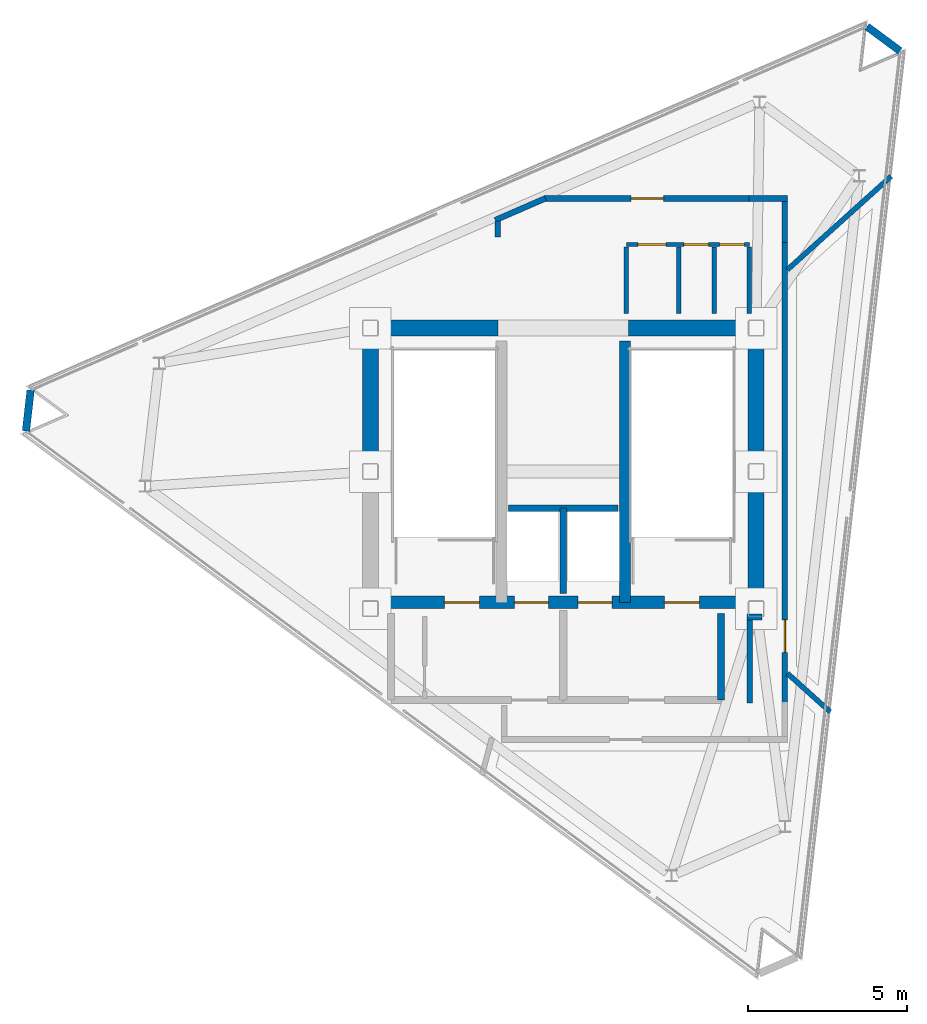
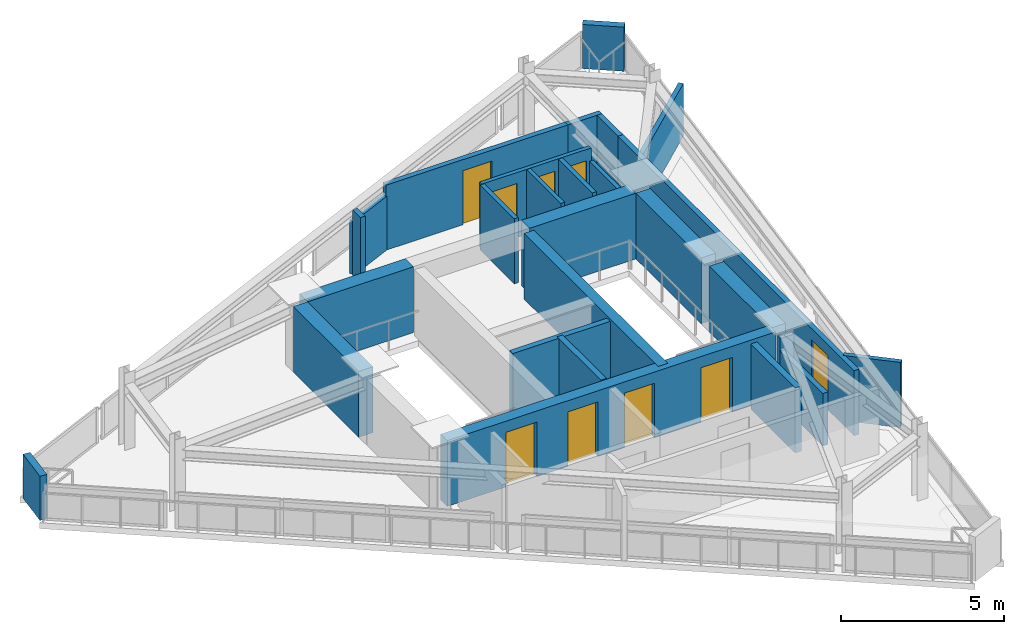
# One storey, part 7 of 9: 27 walls, 9 doors, 9 openings.
"""IFC4 building model written with IfcOpenShell, lengths in metres."""

import ifcopenshell
import ifcopenshell.guid

model = None  # the IFC model being written
_history = None  # IfcOwnerHistory: only IFC2X3 demands one
_inside = {}  # id of a spatial element -> (the spatial element, [elements in it])
_under = {}  # id of a project, library or spatial element -> (it, [spatial elements below it])
_declared = {}  # id of a project -> (the project, [libraries it declares])
_typed = {}  # id of a type object -> (the type object, [elements of that type])
_made_of = {}  # id of a material, layer set ... -> (it, [elements and type objects made of it])


def new_model(schema):
    """Start an empty IFC model of exactly this schema.

    Asked for "IFC4X3", IfcOpenShell would pick the latest addendum, in which some entities
    have other attributes; the version numbers below select the first issue.
    IFC2X3 requires an IfcOwnerHistory on every rooted entity: one is made here for all.
    """
    global model, _history
    if schema == "IFC4X3":
        model = ifcopenshell.file(schema_version=(4, 3, 0, 0))
    else:
        model = ifcopenshell.file(schema=schema)
    _inside.clear()
    _under.clear()
    _declared.clear()
    _typed.clear()
    _made_of.clear()
    _history = None
    if model.schema == "IFC2X3":
        org = make("IfcOrganization", Name="unknown")
        user = make(
            "IfcPersonAndOrganization",
            ThePerson=make("IfcPerson", FamilyName="unknown"),
            TheOrganization=org,
        )
        app = make(
            "IfcApplication",
            ApplicationDeveloper=org,
            Version="unknown",
            ApplicationFullName="unknown",
            ApplicationIdentifier="unknown",
        )
        _history = make(
            "IfcOwnerHistory",
            OwningUser=user,
            OwningApplication=app,
            ChangeAction="ADDED",
            CreationDate=0,
        )
    return model


def make(cls, **values):
    """One entity of the class cls with the attributes given. An attribute that is None is left unset."""
    return model.create_entity(
        cls, **{name: value for name, value in values.items() if value is not None}
    )


def rooted(cls, **values):
    """An entity with a GlobalId (a new one), such as an element, a storey or a relation."""
    return make(cls, GlobalId=ifcopenshell.guid.new(), OwnerHistory=_history, **values)


def si_unit(unit_type, name, prefix=None):
    """IfcSIUnit, for example si_unit("LENGTHUNIT", "METRE", prefix="MILLI")."""
    return make("IfcSIUnit", UnitType=unit_type, Prefix=prefix, Name=name)


def assignment(units):
    """IfcUnitAssignment: the units of a project."""
    return None if units is None else make("IfcUnitAssignment", Units=units)


def point(xyz):
    """IfcCartesianPoint."""
    return None if xyz is None else make("IfcCartesianPoint", Coordinates=xyz)


def direction(xyz):
    """IfcDirection."""
    return None if xyz is None else make("IfcDirection", DirectionRatios=xyz)


def frame(location, z_axis=None, x_axis=None):
    """IfcAxis2Placement3D, a coordinate frame: its origin and axes. An axis left out is left unset."""
    return make(
        "IfcAxis2Placement3D",
        Location=point(location),
        Axis=direction(z_axis),
        RefDirection=direction(x_axis),
    )


def frame_2d(location, x_axis=None):
    """IfcAxis2Placement2D, a coordinate frame in the plane: its origin and x axis."""
    return make(
        "IfcAxis2Placement2D", Location=point(location), RefDirection=direction(x_axis)
    )


def origin():
    """The frame at (0, 0, 0) with its axes left unset."""
    return frame((0.0, 0.0, 0.0))


def place(relative_to, where):
    """IfcLocalPlacement: puts the frame where relative to a parent placement (None: the world)."""
    return make(
        "IfcLocalPlacement", PlacementRelTo=relative_to, RelativePlacement=where
    )


def context(
    kind, dimensions, precision=None, world=None, true_north=None, identifier=None
):
    """IfcGeometricRepresentationContext, for example the 3D "Model" context."""
    return make(
        "IfcGeometricRepresentationContext",
        ContextIdentifier=identifier,
        ContextType=kind,
        CoordinateSpaceDimension=dimensions,
        Precision=precision,
        WorldCoordinateSystem=world,
        TrueNorth=true_north,
    )


def subcontext(parent, identifier, kind, view, scale=None):
    """IfcGeometricRepresentationSubContext, for example "Body" below "Model"."""
    return make(
        "IfcGeometricRepresentationSubContext",
        ContextIdentifier=identifier,
        ContextType=kind,
        ParentContext=parent,
        TargetScale=scale,
        TargetView=view,
    )


def project(units=None, contexts=None):
    """IfcProject with its units and contexts."""
    return rooted(
        "IfcProject",
        Name="project",
        RepresentationContexts=contexts,
        UnitsInContext=assignment(units),
    )


def spatial(cls, under=None, at=None, **own):
    """A site, building, storey or space (cls), placed at a placement, below another one or the project."""
    s = rooted(cls, ObjectPlacement=at, **own)
    if under is not None:
        _under.setdefault(under.id(), (under, []))[1].append(s)
    return s


def profile(cls, at=None, kind="AREA", **sizes):
    """A parametric profile (cls). Its sizes go by their IFC names, for example OverallWidth=200.0."""
    return make(cls, ProfileType=kind, Position=at, **sizes)


def rectangle(**sizes):
    """IfcRectangleProfileDef."""
    return profile("IfcRectangleProfileDef", **sizes)


def extrude(swept, where, along, depth):
    """IfcExtrudedAreaSolid: the profile swept, set in the frame where, extruded along a direction by depth."""
    return make(
        "IfcExtrudedAreaSolid",
        SweptArea=swept,
        Position=where,
        ExtrudedDirection=direction(along),
        Depth=depth,
    )


def shape(context_of_items, identifier, shape_type, items):
    """IfcShapeRepresentation: the items that make up one representation, for example the "Body"."""
    return make(
        "IfcShapeRepresentation",
        ContextOfItems=context_of_items,
        RepresentationIdentifier=identifier,
        RepresentationType=shape_type,
        Items=items,
    )


def material(Name=None, Category=None):
    """IfcMaterial."""
    return make("IfcMaterial", Name=Name, Category=Category)


def layer(
    of_material, thickness, ventilated=None, Name=None, Category=None, Priority=None
):
    """IfcMaterialLayer: one layer of a wall or slab, of a material (None: an air gap)."""
    return make(
        "IfcMaterialLayer",
        Material=of_material,
        LayerThickness=thickness,
        IsVentilated=ventilated,
        Name=Name,
        Category=Category,
        Priority=Priority,
    )


def layer_set(layers, Name=None):
    """IfcMaterialLayerSet."""
    return make("IfcMaterialLayerSet", MaterialLayers=layers, LayerSetName=Name)


def made_of(thing, what):
    """Note that an element or type object is made of a material, layer set ...; save() writes the relation."""
    if what is not None:
        _made_of.setdefault(what.id(), (what, []))[1].append(thing)
    return thing


def type_object(cls, material=None, **own):
    """A type object (cls), such as IfcWallType, which elements share."""
    return made_of(rooted(cls, **own), material)


def element(
    cls,
    number,
    at=None,
    inside=None,
    cuts=None,
    type_object=None,
    material=None,
    context=None,
    identifier="Body",
    shape_type=None,
    held_by="IfcProductDefinitionShape",
    body=None,
    shapes=None,
    **own,
):
    """One element of the class cls, such as IfcWall. Its Tag is "e" and its number.

    at: its placement. inside: the storey or other place that contains it. cuts: it is an
    opening in that element (IfcRelVoidsElement). A single representation is given by context,
    identifier, shape_type and body (its items); several are given by shapes. held_by: the class
    of the entity that holds the representations. save() writes the other relations.
    """
    e = rooted(cls, Tag="e%d" % number, ObjectPlacement=at, **own)
    if body is not None:
        shapes = [shape(context, identifier, shape_type, body)]
    if shapes is not None:
        e.Representation = make(held_by, Representations=shapes)
    if inside is not None:
        _inside.setdefault(inside.id(), (inside, []))[1].append(e)
    if cuts is not None:
        rooted(
            "IfcRelVoidsElement", RelatingBuildingElement=cuts, RelatedOpeningElement=e
        )
    if type_object is not None:
        _typed.setdefault(type_object.id(), (type_object, []))[1].append(e)
    return made_of(e, material)


def fill(opening, filler):
    """IfcRelFillsElement: the door or window that sits in an opening."""
    return rooted(
        "IfcRelFillsElement",
        RelatingOpeningElement=opening,
        RelatedBuildingElement=filler,
    )


def aggregate(whole, parts):
    """IfcRelAggregates: a whole, such as a stair, and the parts it consists of."""
    return rooted("IfcRelAggregates", RelatingObject=whole, RelatedObjects=parts)


def save(model, path):
    """Write the relations noted so far, then the file.

    IfcRelAggregates (storeys below a building ...), IfcRelContainedInSpatialStructure (elements
    in a storey), IfcRelDefinesByType, IfcRelAssociatesMaterial and IfcRelDeclares: one each for
    every whole, place, type object, material and project.
    """
    for whole, parts in _under.values():
        aggregate(whole, parts)
    for where, things in _inside.values():
        rooted(
            "IfcRelContainedInSpatialStructure",
            RelatedElements=things,
            RelatingStructure=where,
        )
    for kind, things in _typed.values():
        rooted("IfcRelDefinesByType", RelatedObjects=things, RelatingType=kind)
    for what, things in _made_of.values():
        rooted("IfcRelAssociatesMaterial", RelatedObjects=things, RelatingMaterial=what)
    for by, libraries in _declared.values():
        rooted("IfcRelDeclares", RelatingContext=by, RelatedDefinitions=libraries)
    model.write(path)


model = new_model("IFC4")

# Units and contexts
model_context = context("Model", 3, precision=1e-05, world=origin(), true_north=direction((0.0, 1.0)))
body_context = subcontext(model_context, "Body", "Model", "MODEL_VIEW")
ifc_project = project(units=[si_unit("LENGTHUNIT", "METRE"), si_unit("AREAUNIT", "SQUARE_METRE"), si_unit("VOLUMEUNIT", "CUBIC_METRE"), si_unit("PLANEANGLEUNIT", "RADIAN"), si_unit("MASSUNIT", "GRAM", prefix="KILO")], contexts=[model_context])

# Site, building, storey
site_placement = place(None, origin())
site = spatial("IfcSite", under=ifc_project, at=site_placement, CompositionType="ELEMENT")
building_placement = place(site_placement, origin())
building = spatial("IfcBuilding", under=site, at=building_placement, Name="Rocaltana Carrier Exchange", CompositionType="ELEMENT")
storey_placement = place(building_placement, frame((0.0, 0.0, 254.8798828125)))
storey = spatial("IfcBuildingStorey", under=building, at=storey_placement, Name="L81", CompositionType="ELEMENT", Elevation=254.8798828125)

# Walls
ifc_material_1 = material(Name="Double Acoustic Gypsum Partition", Category="gypsum")
ifc_layer_1 = layer(ifc_material_1, 0.159912109375)
ifc_layer_set_1 = layer_set([ifc_layer_1], Name="Double Acoustic Gypsum Partition")
wall_type_1 = type_object("IfcWallType", Name="Acoustic Studio Partition 160 EI60", PredefinedType="PARTITIONING", material=ifc_layer_set_1)
wall_1_placement = place(storey_placement, frame((7.030029296875, -6.329833984375, 0.0), z_axis=(0.0, 0.0, 1.0), x_axis=(0.743152807618, -0.669121741188, 0.0)))
element("IfcWall", 1, at=wall_1_placement, inside=storey, type_object=wall_type_1, Name="L81 Suite Divider Wall D2", PredefinedType="PARTITIONING", context=body_context, shape_type="SweptSolid", body=[
    extrude(rectangle(XDim=1.803955078125, YDim=0.159912109375, at=frame_2d((0.90185546875, 0.0))), origin(), (0.0, 0.0, 1.0), 2.43310546875),
])
wall_2_placement = place(storey_placement, frame((7.030029296875, 6.329833984375, 0.0), z_axis=(0.0, 0.0, 1.0), x_axis=(0.74313056162, 0.669146447638, 0.0)))
element("IfcWall", 2, at=wall_2_placement, inside=storey, type_object=wall_type_1, Name="L81 Suite Divider Wall D3", PredefinedType="PARTITIONING", context=body_context, shape_type="SweptSolid", body=[
    extrude(rectangle(XDim=4.37890625, YDim=0.159912109375, at=frame_2d((2.189453125, 0.0))), origin(), (0.0, 0.0, 1.0), 1.963134765625),
])
ifc_material_2 = material(Name="Concrete C50/60", Category="concrete")
ifc_layer_2 = layer(ifc_material_2, 0.35009765625)
ifc_layer_set_2 = layer_set([ifc_layer_2], Name="Concrete C50/60")
wall_type_2 = type_object("IfcWallType", Name="Core Internal Shear Wall 350", PredefinedType="SHEAR", material=ifc_layer_set_2)
wall_3_placement = place(storey_placement, frame((1.93994140625, -4.10009765625, 0.0), z_axis=(0.0, 0.0, 1.0), x_axis=(0.0, 1.0, 0.0)))
element("IfcWall", 3, at=wall_3_placement, inside=storey, type_object=wall_type_2, Name="L81 Core Shear Wall CW-STE", PredefinedType="SHEAR", context=body_context, shape_type="SweptSolid", body=[
    extrude(rectangle(XDim=8.2001953125, YDim=0.35009765625, at=frame_2d((4.10009765625, 0.0))), origin(), (0.0, 0.0, 1.0), 2.4580078125),
])

# Wall, openings, doors
ifc_material_3 = material(Name="Concrete C50/60", Category="concrete")
ifc_layer_3 = layer(ifc_material_3, 0.39990234375)
ifc_layer_set_3 = layer_set([ifc_layer_3], Name="Concrete C50/60")
wall_type_3 = type_object("IfcWallType", Name="Core Internal Shear Wall 400", PredefinedType="SHEAR", material=ifc_layer_set_3)
wall_4_placement = place(storey_placement, frame((-5.800048828125, -4.10009765625, 0.0), z_axis=(0.0, 0.0, 1.0), x_axis=(1.0, 0.0, 0.0)))
wall_4 = element("IfcWall", 4, at=wall_4_placement, inside=storey, type_object=wall_type_3, Name="L81 Core Shear Wall CW-S", PredefinedType="SHEAR", context=body_context, shape_type="SweptSolid", body=[
    extrude(rectangle(XDim=11.60009765625, YDim=0.39990234375, at=frame_2d((5.800048828125, 0.0))), origin(), (0.0, 0.0, 1.0), 2.4580078125),
])
opening_1_placement = place(wall_4_placement, frame((2.070068359375, 0.0, 0.0)))
opening_1 = element("IfcOpeningElement", 5, at=opening_1_placement, cuts=wall_4, Name="Opening D-ST110", PredefinedType="OPENING", context=body_context, shape_type="SweptSolid", body=[
    extrude(rectangle(XDim=1.10009765625, YDim=2.0400390625, at=frame_2d((0.550048828125, 1.02001953125))), frame((0.0, 0.2099609375, 0.0), z_axis=(0.0, -1.0, 0.0), x_axis=(1.0, 0.0, 0.0)), (0.0, 0.0, 1.0), 0.419921875),
])
opening_2_placement = place(wall_4_placement, frame((8.969970703125, 0.0, 0.0)))
opening_2 = element("IfcOpeningElement", 6, at=opening_2_placement, cuts=wall_4, Name="Opening D-ST110", PredefinedType="OPENING", context=body_context, shape_type="SweptSolid", body=[
    extrude(rectangle(XDim=1.10009765625, YDim=2.0400390625, at=frame_2d((0.550048828125, 1.02001953125))), frame((0.0, 0.2099609375, 0.0), z_axis=(0.0, -1.0, 0.0), x_axis=(1.0, 0.0, 0.0)), (0.0, 0.0, 1.0), 0.419921875),
])
opening_3_placement = place(wall_4_placement, frame((4.27001953125, 0.0, 0.0)))
opening_3 = element("IfcOpeningElement", 7, at=opening_3_placement, cuts=wall_4, Name="Opening LD-110", PredefinedType="OPENING", context=body_context, shape_type="SweptSolid", body=[
    extrude(rectangle(XDim=1.06005859375, YDim=2.0400390625, at=frame_2d((0.530029296875, 1.02001953125))), frame((0.0, 0.2099609375, 0.0), z_axis=(0.0, -1.0, 0.0), x_axis=(1.0, 0.0, 0.0)), (0.0, 0.0, 1.0), 0.419921875),
])
opening_4_placement = place(wall_4_placement, frame((6.27001953125, 0.0, 0.0)))
opening_4 = element("IfcOpeningElement", 8, at=opening_4_placement, cuts=wall_4, Name="Opening LD-110", PredefinedType="OPENING", context=body_context, shape_type="SweptSolid", body=[
    extrude(rectangle(XDim=1.06005859375, YDim=2.0400390625, at=frame_2d((0.530029296875, 1.02001953125))), frame((0.0, 0.2099609375, 0.0), z_axis=(0.0, -1.0, 0.0), x_axis=(1.0, 0.0, 0.0)), (0.0, 0.0, 1.0), 0.419921875),
])
ifc_material_4 = material(Name="Hollow Metal Fire Door Assembly", Category="steel")
door_type_1 = type_object("IfcDoorType", Name="Exit Stair Fire Door 1100x2040 FD90S", OperationType="NOTDEFINED", PredefinedType="DOOR", material=ifc_material_4)
door_1_placement = place(opening_1_placement, origin())
door_1 = element("IfcDoor", 9, at=door_1_placement, inside=storey, type_object=door_type_1, Name="L81 Exit Stair ST1 Fire Door", OperationType="SINGLE_SWING_LEFT", OverallHeight=2.0400390625, OverallWidth=1.10009765625, PredefinedType="DOOR", context=body_context, shape_type="SweptSolid", body=[
    extrude(rectangle(XDim=1.10009765625, YDim=2.0400390625, at=frame_2d((0.550048828125, 1.02001953125))), frame((0.0, 0.02490234375, 0.0), z_axis=(0.0, -1.0, 0.0), x_axis=(1.0, 0.0, 0.0)), (0.0, 0.0, 1.0), 0.050048828125),
])
fill(opening_1, door_1)
door_2_placement = place(opening_2_placement, origin())
door_2 = element("IfcDoor", 10, at=door_2_placement, inside=storey, type_object=door_type_1, Name="L81 Exit Stair ST2 Fire Door", OperationType="SINGLE_SWING_RIGHT", OverallHeight=2.0400390625, OverallWidth=1.10009765625, PredefinedType="DOOR", context=body_context, shape_type="SweptSolid", body=[
    extrude(rectangle(XDim=1.10009765625, YDim=2.0400390625, at=frame_2d((0.550048828125, 1.02001953125))), frame((0.0, 0.02490234375, 0.0), z_axis=(0.0, -1.0, 0.0), x_axis=(1.0, 0.0, 0.0)), (0.0, 0.0, 1.0), 0.050048828125),
])
fill(opening_2, door_2)
ifc_material_5 = material(Name="Brushed Stainless Sliding Door Leaf", Category="steel")
door_type_2 = type_object("IfcDoorType", Name="Lift Landing Sliding Door 1060x2040", OperationType="NOTDEFINED", PredefinedType="DOOR", material=ifc_material_5)
door_3_placement = place(opening_3_placement, origin())
door_3 = element("IfcDoor", 11, at=door_3_placement, inside=storey, type_object=door_type_2, Name="L81 Firefighting Lift FFL1 Landing Door", OperationType="SLIDING_TO_LEFT", OverallHeight=2.0400390625, OverallWidth=1.06005859375, PredefinedType="DOOR", context=body_context, shape_type="SweptSolid", body=[
    extrude(rectangle(XDim=1.06005859375, YDim=2.0400390625, at=frame_2d((0.530029296875, 1.02001953125))), frame((0.0, 0.02490234375, 0.0), z_axis=(0.0, -1.0, 0.0), x_axis=(1.0, 0.0, 0.0)), (0.0, 0.0, 1.0), 0.050048828125),
])
fill(opening_3, door_3)
door_4_placement = place(opening_4_placement, origin())
door_4 = element("IfcDoor", 12, at=door_4_placement, inside=storey, type_object=door_type_2, Name="L81 Firefighting Lift FFL2 Landing Door", OperationType="SLIDING_TO_RIGHT", OverallHeight=2.0400390625, OverallWidth=1.06005859375, PredefinedType="DOOR", context=body_context, shape_type="SweptSolid", body=[
    extrude(rectangle(XDim=1.06005859375, YDim=2.0400390625, at=frame_2d((0.530029296875, 1.02001953125))), frame((0.0, 0.02490234375, 0.0), z_axis=(0.0, -1.0, 0.0), x_axis=(1.0, 0.0, 0.0)), (0.0, 0.0, 1.0), 0.050048828125),
])
fill(opening_4, door_4)

# Walls
ifc_material_6 = material(Name="Concrete C50/60", Category="concrete")
ifc_layer_4 = layer(ifc_material_6, 0.5)
ifc_layer_set_4 = layer_set([ifc_layer_4], Name="Concrete C50/60")
wall_type_4 = type_object("IfcWallType", Name="Core Shear Wall 500", PredefinedType="SHEAR", material=ifc_layer_set_4)
for number, where, z_axis, x_axis, name in (
    (13, (-6.050048828125, 0.25, 0.0), (0.0, 0.0, 1.0), (0.0, 1.0, 0.0), "L81 Core Shear Wall CW-WN"),
    (14, (6.050048828125, 0.25, 0.0), (0.0, 0.0, 1.0), (0.0, 1.0, 0.0), "L81 Core Shear Wall CW-EN"),
):
    element("IfcWall", number, at=place(storey_placement, frame(where, z_axis=z_axis, x_axis=x_axis)), inside=storey, type_object=wall_type_4, Name=name, PredefinedType="SHEAR", context=body_context, shape_type="SweptSolid", body=[
        extrude(rectangle(XDim=4.0, YDim=0.5, at=frame_2d((2.0, 0.0))), origin(), (0.0, 0.0, 1.0), 2.4580078125),
    ])
wall_5_placement = place(storey_placement, frame((6.050048828125, -4.050048828125, 0.0), z_axis=(0.0, 0.0, 1.0), x_axis=(0.0, 1.0, 0.0)))
element("IfcWall", 15, at=wall_5_placement, inside=storey, type_object=wall_type_4, Name="L81 Core Shear Wall CW-ES", PredefinedType="SHEAR", context=body_context, shape_type="SweptSolid", body=[
    extrude(rectangle(XDim=3.800048828125, YDim=0.5, at=frame_2d((1.89990234375, 0.0))), origin(), (0.0, 0.0, 1.0), 2.4580078125),
])
for number, where, z_axis, x_axis, name in (
    (16, (-5.800048828125, 4.5, 0.0), (0.0, 0.0, 1.0), (1.0, 0.0, 0.0), "L81 Core Shear Wall CW-N1"),
    (17, (2.050048828125, 4.5, 0.0), (0.0, 0.0, 1.0), (1.0, 0.0, 0.0), "L81 Core Shear Wall CW-N2"),
):
    element("IfcWall", number, at=place(storey_placement, frame(where, z_axis=z_axis, x_axis=x_axis)), inside=storey, type_object=wall_type_4, Name=name, PredefinedType="SHEAR", context=body_context, shape_type="SweptSolid", body=[
        extrude(rectangle(XDim=3.75, YDim=0.5, at=frame_2d((1.875, 0.0))), origin(), (0.0, 0.0, 1.0), 2.4580078125),
    ])
ifc_material_7 = material(Name="Gypsum & Steel Stud Partition", Category="steel")
ifc_layer_5 = layer(ifc_material_7, 0.179931640625)
ifc_layer_set_5 = layer_set([ifc_layer_5], Name="Gypsum & Steel Stud Partition")
wall_type_5 = type_object("IfcWallType", Name="Corridor Fire Partition 180 EI60", PredefinedType="PARTITIONING", material=ifc_layer_set_5)
wall_6_placement = place(storey_placement, frame((5.85009765625, -7.260009765625, 0.0), z_axis=(0.0, 0.0, 1.0), x_axis=(0.0, 1.0, 0.0)))
element("IfcWall", 18, at=wall_6_placement, inside=storey, type_object=wall_type_5, Name="L81 Corridor Partition 2", PredefinedType="PARTITIONING", context=body_context, shape_type="SweptSolid", body=[
    extrude(rectangle(XDim=2.610107421875, YDim=0.179931640625, at=frame_2d((1.30517578125, 0.0))), origin(), (0.0, 0.0, 1.0), 1.963134765625),
])
wall_7_placement = place(storey_placement, frame((5.760009765625, -4.56005859375, 0.0), z_axis=(0.0, 0.0, 1.0), x_axis=(1.0, 0.0, 0.0)))
element("IfcWall", 19, at=wall_7_placement, inside=storey, type_object=wall_type_5, Name="L81 Corridor Partition 3", PredefinedType="PARTITIONING", context=body_context, shape_type="SweptSolid", body=[
    extrude(rectangle(XDim=0.47998046875, YDim=0.179931640625, at=frame_2d((0.239990234375, 0.0))), origin(), (0.0, 0.0, 1.0), 2.43310546875),
])
wall_8_placement = place(storey_placement, frame((-2.050048828125, 7.360107421875, 0.0), z_axis=(0.0, 0.0, 1.0), x_axis=(0.0, 1.0, 0.0)))
element("IfcWall", 20, at=wall_8_placement, inside=storey, type_object=wall_type_5, Name="L81 Corridor Partition 5", PredefinedType="PARTITIONING", context=body_context, shape_type="SweptSolid", body=[
    extrude(rectangle(XDim=0.4892578125, YDim=0.179931640625, at=frame_2d((0.24462890625, 0.0))), origin(), (0.0, 0.0, 1.0), 2.43310546875),
])
wall_9_placement = place(storey_placement, frame((-2.132568359375, 7.88330078125, 0.0), z_axis=(0.0, 0.0, 1.0), x_axis=(0.91701353087, 0.398856094602, 0.0)))
element("IfcWall", 21, at=wall_9_placement, inside=storey, type_object=wall_type_5, Name="L81 Corridor Partition 6", PredefinedType="PARTITIONING", context=body_context, shape_type="SweptSolid", body=[
    extrude(rectangle(XDim=1.717041015625, YDim=0.179931640625, at=frame_2d((0.8583984375, 0.0))), origin(), (0.0, 0.0, 1.0), 2.01318359375),
])

# Wall, opening, door
wall_10_placement = place(storey_placement, frame((-0.596435546875, 8.56005859375, 0.0), z_axis=(0.0, 0.0, 1.0), x_axis=(1.0, 0.0, 0.0)))
wall_10 = element("IfcWall", 22, at=wall_10_placement, inside=storey, type_object=wall_type_5, Name="L81 Corridor Partition 7", PredefinedType="PARTITIONING", context=body_context, shape_type="SweptSolid", body=[
    extrude(rectangle(XDim=6.466552734375, YDim=0.179931640625, at=frame_2d((3.2333984375, 0.0))), origin(), (0.0, 0.0, 1.0), 2.43310546875),
])
opening_5_placement = place(wall_10_placement, frame((2.72314453125, 0.0, 0.0)))
opening_5 = element("IfcOpeningElement", 23, at=opening_5_placement, cuts=wall_10, Name="Opening D-LB104", PredefinedType="OPENING", context=body_context, shape_type="SweptSolid", body=[
    extrude(rectangle(XDim=1.02001953125, YDim=2.02001953125, at=frame_2d((0.510009765625, 1.010009765625))), frame((0.0, 0.099853515625, 0.0), z_axis=(0.0, -1.0, 0.0), x_axis=(1.0, 0.0, 0.0)), (0.0, 0.0, 1.0), 0.199951171875),
])
ifc_material_8 = material(Name="Powder-Coated Aluminium 6063-T6", Category="aluminium")
door_type_3 = type_object("IfcDoorType", Name="Laboratory Acoustic Door 1020x2020", OperationType="NOTDEFINED", PredefinedType="DOOR", material=ifc_material_8)
door_5_placement = place(opening_5_placement, origin())
door_5 = element("IfcDoor", 24, at=door_5_placement, inside=storey, type_object=door_type_3, Name="L81 Photonic Integration Laboratory Entrance Door", OperationType="SINGLE_SWING_LEFT", OverallHeight=2.02001953125, OverallWidth=1.02001953125, PredefinedType="DOOR", context=body_context, shape_type="SweptSolid", body=[
    extrude(rectangle(XDim=1.02001953125, YDim=2.02001953125, at=frame_2d((0.510009765625, 1.010009765625))), frame((0.0, 0.02490234375, 0.0), z_axis=(0.0, -1.0, 0.0), x_axis=(1.0, 0.0, 0.0)), (0.0, 0.0, 1.0), 0.050048828125),
])
fill(opening_5, door_5)

# Walls
wall_11_placement = place(storey_placement, frame((5.830078125, 8.56005859375, 0.0), z_axis=(0.0, 0.0, 1.0), x_axis=(1.0, 0.0, 0.0)))
element("IfcWall", 25, at=wall_11_placement, inside=storey, type_object=wall_type_5, Name="L81 Corridor Partition 8", PredefinedType="PARTITIONING", context=body_context, shape_type="SweptSolid", body=[
    extrude(rectangle(XDim=1.2099609375, YDim=0.179931640625, at=frame_2d((0.60498046875, 0.0))), origin(), (0.0, 0.0, 1.0), 2.43310546875),
])
wall_12_placement = place(storey_placement, frame((6.949951171875, 8.469970703125, 0.0), z_axis=(0.0, 0.0, 1.0), x_axis=(0.0, -1.0, 0.0)))
element("IfcWall", 26, at=wall_12_placement, inside=storey, type_object=wall_type_5, Name="L81 Corridor Partition 9", PredefinedType="PARTITIONING", context=body_context, shape_type="SweptSolid", body=[
    extrude(rectangle(XDim=1.2900390625, YDim=0.179931640625, at=frame_2d((0.64501953125, 0.0))), origin(), (0.0, 0.0, 1.0), 2.43310546875),
])

# Wall, opening, door
wall_13_placement = place(storey_placement, frame((6.949951171875, 7.219970703125, 0.0), z_axis=(0.0, 0.0, 1.0), x_axis=(0.0, -1.0, 0.0)))
wall_13 = element("IfcWall", 27, at=wall_13_placement, inside=storey, type_object=wall_type_5, Name="L81 Corridor Partition 10", PredefinedType="PARTITIONING", context=body_context, shape_type="SweptSolid", body=[
    extrude(rectangle(XDim=14.47998046875, YDim=0.179931640625, at=frame_2d((7.239990234375, 0.0))), origin(), (0.0, 0.0, 1.0), 2.43310546875),
])
opening_6_placement = place(wall_13_placement, frame((11.874267578125, 0.0, 0.0)))
opening_6 = element("IfcOpeningElement", 28, at=opening_6_placement, cuts=wall_13, Name="Opening D-LB104", PredefinedType="OPENING", context=body_context, shape_type="SweptSolid", body=[
    extrude(rectangle(XDim=1.02001953125, YDim=2.02001953125, at=frame_2d((0.510009765625, 1.010009765625))), frame((0.0, 0.099853515625, 0.0), z_axis=(0.0, -1.0, 0.0), x_axis=(1.0, 0.0, 0.0)), (0.0, 0.0, 1.0), 0.199951171875),
])
door_6_placement = place(opening_6_placement, origin())
door_6 = element("IfcDoor", 29, at=door_6_placement, inside=storey, type_object=door_type_3, Name="L81 Protocol Calibration Laboratory Entrance Door", OperationType="SINGLE_SWING_RIGHT", OverallHeight=2.02001953125, OverallWidth=1.02001953125, PredefinedType="DOOR", context=body_context, shape_type="SweptSolid", body=[
    extrude(rectangle(XDim=1.02001953125, YDim=2.02001953125, at=frame_2d((0.510009765625, 1.010009765625))), frame((0.0, 0.02490234375, 0.0), z_axis=(0.0, -1.0, 0.0), x_axis=(1.0, 0.0, 0.0)), (0.0, 0.0, 1.0), 0.050048828125),
])
fill(opening_6, door_6)

# Walls
ifc_material_9 = material(Name="Autoclaved Aerated Concrete C30/37", Category="concrete")
ifc_layer_6 = layer(ifc_material_9, 0.219970703125)
ifc_layer_set_6 = layer_set([ifc_layer_6], Name="Autoclaved Aerated Concrete C30/37")
wall_type_6 = type_object("IfcWallType", Name="Firefighting Lobby Wall 220 EI120", PredefinedType="PARTITIONING", material=ifc_layer_set_6)
wall_14_placement = place(storey_placement, frame((4.949951171875, -7.159912109375, 0.0), z_axis=(0.0, 0.0, 1.0), x_axis=(0.0, 1.0, 0.0)))
element("IfcWall", 30, at=wall_14_placement, inside=storey, type_object=wall_type_6, Name="L81 FFL Lobby 2 East Wall", PredefinedType="PARTITIONING", context=body_context, shape_type="SweptSolid", body=[
    extrude(rectangle(XDim=2.7099609375, YDim=0.219970703125, at=frame_2d((1.35498046875, 0.0))), origin(), (0.0, 0.0, 1.0), 2.43310546875),
])
ifc_material_10 = material(Name="Reinforced Concrete Block C35/45", Category="concrete")
ifc_layer_7 = layer(ifc_material_10, 0.199951171875)
ifc_layer_set_7 = layer_set([ifc_layer_7], Name="Reinforced Concrete Block C35/45")
wall_type_7 = type_object("IfcWallType", Name="Lift Hoistway Enclosure Wall 200 EI120", PredefinedType="PARTITIONING", material=ifc_layer_set_7)
wall_15_placement = place(storey_placement, frame((0.0, -3.820068359375, 0.0), z_axis=(0.0, 0.0, 1.0), x_axis=(0.0, 1.0, 0.0)))
element("IfcWall", 31, at=wall_15_placement, inside=storey, type_object=wall_type_7, Name="L81 FFL Shaft Divider", PredefinedType="PARTITIONING", context=body_context, shape_type="SweptSolid", body=[
    extrude(rectangle(XDim=2.670166015625, YDim=0.199951171875, at=frame_2d((1.3349609375, 0.0))), origin(), (0.0, 0.0, 1.0), 2.43310546875),
])
wall_16_placement = place(storey_placement, frame((-1.719970703125, -1.14990234375, 0.0), z_axis=(0.0, 0.0, 1.0), x_axis=(1.0, 0.0, 0.0)))
element("IfcWall", 32, at=wall_16_placement, inside=storey, type_object=wall_type_7, Name="L81 FFL Shaft Back Wall", PredefinedType="PARTITIONING", context=body_context, shape_type="SweptSolid", body=[
    extrude(rectangle(XDim=3.43994140625, YDim=0.199951171875, at=frame_2d((1.719970703125, 0.0))), origin(), (0.0, 0.0, 1.0), 2.43310546875),
])
ifc_material_11 = material(Name="Precast sandstone concrete C40/50", Category="masonry")
ifc_layer_8 = layer(ifc_material_11, 0.239990234375)
ifc_layer_set_8 = layer_set([ifc_layer_8], Name="Precast sandstone concrete C40/50")
wall_type_8 = type_object("IfcWallType", Name="Terrace Stone Parapet Wall 240", PredefinedType="PARAPET", material=ifc_layer_set_8)
for number, where, z_axis, x_axis, name in (
    (33, (10.560791015625, 13.189208984375, 0.0), (0.0, 0.0, 1.0), (-0.803782083324, 0.594923829181, 0.0), "L81 Crown Corner Mullion Wall C1"),
    (34, (-16.70263671875, 2.55126953125, 0.0), (0.0, 0.0, 1.0), (-0.113156349647, -0.993577194049, 0.0), "L81 Crown Corner Mullion Wall C2"),
):
    element("IfcWall", number, at=place(storey_placement, frame(where, z_axis=z_axis, x_axis=x_axis)), inside=storey, type_object=wall_type_8, Name=name, PredefinedType="PARAPET", context=body_context, shape_type="SweptSolid", body=[
        extrude(rectangle(XDim=1.2880859375, YDim=0.239990234375, at=frame_2d((0.64404296875, 0.0))), origin(), (0.0, 0.0, 1.0), 1.650146484375),
    ])
ifc_material_12 = material(Name="Moisture-Resistant Masonry C30/37", Category="masonry")
ifc_layer_9 = layer(ifc_material_12, 0.139892578125)
ifc_layer_set_9 = layer_set([ifc_layer_9], Name="Moisture-Resistant Masonry C30/37")
wall_type_9 = type_object("IfcWallType", Name="Wet-Area Sanitary Partition 140", PredefinedType="PARTITIONING", material=ifc_layer_set_9)
wall_17_placement = place(storey_placement, frame((1.97998046875, 4.949951171875, 0.0), z_axis=(0.0, 0.0, 1.0), x_axis=(0.0, 1.0, 0.0)))
element("IfcWall", 35, at=wall_17_placement, inside=storey, type_object=wall_type_9, Name="L81 Sanitary West Wall", PredefinedType="PARTITIONING", context=body_context, shape_type="SweptSolid", body=[
    extrude(rectangle(XDim=2.090087890625, YDim=0.139892578125, at=frame_2d((1.044921875, 0.0))), origin(), (0.0, 0.0, 1.0), 2.43310546875),
])
wall_18_placement = place(storey_placement, frame((5.840087890625, 4.949951171875, 0.0), z_axis=(0.0, 0.0, 1.0), x_axis=(0.0, 1.0, 0.0)))
element("IfcWall", 36, at=wall_18_placement, inside=storey, type_object=wall_type_9, Name="L81 Sanitary East Wall", PredefinedType="PARTITIONING", context=body_context, shape_type="SweptSolid", body=[
    extrude(rectangle(XDim=2.090087890625, YDim=0.139892578125, at=frame_2d((1.044921875, 0.0))), origin(), (0.0, 0.0, 1.0), 1.963134765625),
])

# Wall, openings, doors
wall_19_placement = place(storey_placement, frame((1.97998046875, 7.1201171875, 0.0), z_axis=(0.0, 0.0, 1.0), x_axis=(1.0, 0.0, 0.0)))
wall_19 = element("IfcWall", 37, at=wall_19_placement, inside=storey, type_object=wall_type_9, Name="L81 Sanitary North Wall", PredefinedType="PARTITIONING", context=body_context, shape_type="SweptSolid", body=[
    extrude(rectangle(XDim=3.860107421875, YDim=0.139892578125, at=frame_2d((1.93017578125, 0.0))), origin(), (0.0, 0.0, 1.0), 2.43310546875),
])
opening_7_placement = place(wall_19_placement, frame((0.360107421875, 0.0, 0.0)))
opening_7 = element("IfcOpeningElement", 38, at=opening_7_placement, cuts=wall_19, Name="Opening D-WC090", PredefinedType="OPENING", context=body_context, shape_type="SweptSolid", body=[
    extrude(rectangle(XDim=0.8798828125, YDim=2.02001953125, at=frame_2d((0.43994140625, 1.010009765625))), frame((0.0, 0.079833984375, 0.0), z_axis=(0.0, -1.0, 0.0), x_axis=(1.0, 0.0, 0.0)), (0.0, 0.0, 1.0), 0.159912109375),
])
opening_8_placement = place(wall_19_placement, frame((1.800048828125, 0.0, 0.0)))
opening_8 = element("IfcOpeningElement", 39, at=opening_8_placement, cuts=wall_19, Name="Opening D-RS082", PredefinedType="OPENING", context=body_context, shape_type="SweptSolid", body=[
    extrude(rectangle(XDim=0.780029296875, YDim=2.010009765625, at=frame_2d((0.39013671875, 1.0048828125))), frame((0.0, 0.079833984375, 0.0), z_axis=(0.0, -1.0, 0.0), x_axis=(1.0, 0.0, 0.0)), (0.0, 0.0, 1.0), 0.159912109375),
])
opening_9_placement = place(wall_19_placement, frame((2.919921875, 0.0, 0.0)))
opening_9 = element("IfcOpeningElement", 40, at=opening_9_placement, cuts=wall_19, Name="Opening D-RS082", PredefinedType="OPENING", context=body_context, shape_type="SweptSolid", body=[
    extrude(rectangle(XDim=0.780029296875, YDim=2.010009765625, at=frame_2d((0.39013671875, 1.0048828125))), frame((0.0, 0.079833984375, 0.0), z_axis=(0.0, -1.0, 0.0), x_axis=(1.0, 0.0, 0.0)), (0.0, 0.0, 1.0), 0.159912109375),
])
ifc_material_13 = material(Name="High-Pressure Laminate Timber", Category="wood")
door_type_4 = type_object("IfcDoorType", Name="Restroom & Accessible WC Door 880x2020", OperationType="NOTDEFINED", PredefinedType="DOOR", material=ifc_material_13)
door_7_placement = place(opening_7_placement, origin())
door_7 = element("IfcDoor", 41, at=door_7_placement, inside=storey, type_object=door_type_4, Name="L81 Accessible Toilet Door", OperationType="SINGLE_SWING_RIGHT", OverallHeight=2.02001953125, OverallWidth=0.8798828125, PredefinedType="DOOR", context=body_context, shape_type="SweptSolid", body=[
    extrude(rectangle(XDim=0.8798828125, YDim=2.02001953125, at=frame_2d((0.43994140625, 1.010009765625))), frame((0.0, 0.02490234375, 0.0), z_axis=(0.0, -1.0, 0.0), x_axis=(1.0, 0.0, 0.0)), (0.0, 0.0, 1.0), 0.050048828125),
])
fill(opening_7, door_7)
ifc_material_14 = material(Name="Hollow Metal Access Door Leaf", Category="steel")
door_type_5 = type_object("IfcDoorType", Name="Riser & Service Closet Door 780x2010", OperationType="NOTDEFINED", PredefinedType="DOOR", material=ifc_material_14)
door_8_placement = place(opening_8_placement, origin())
door_8 = element("IfcDoor", 42, at=door_8_placement, inside=storey, type_object=door_type_5, Name="L81 Staff Restroom Door", OperationType="SINGLE_SWING_LEFT", OverallHeight=2.010009765625, OverallWidth=0.780029296875, PredefinedType="DOOR", context=body_context, shape_type="SweptSolid", body=[
    extrude(rectangle(XDim=0.780029296875, YDim=2.010009765625, at=frame_2d((0.39013671875, 1.0048828125))), frame((0.0, 0.02490234375, 0.0), z_axis=(0.0, -1.0, 0.0), x_axis=(1.0, 0.0, 0.0)), (0.0, 0.0, 1.0), 0.050048828125),
])
fill(opening_8, door_8)
door_9_placement = place(opening_9_placement, origin())
door_9 = element("IfcDoor", 43, at=door_9_placement, inside=storey, type_object=door_type_5, Name="L81 Signal Riser Closet Door", OperationType="SINGLE_SWING_RIGHT", OverallHeight=2.010009765625, OverallWidth=0.780029296875, PredefinedType="DOOR", context=body_context, shape_type="SweptSolid", body=[
    extrude(rectangle(XDim=0.780029296875, YDim=2.010009765625, at=frame_2d((0.39013671875, 1.0048828125))), frame((0.0, 0.02490234375, 0.0), z_axis=(0.0, -1.0, 0.0), x_axis=(1.0, 0.0, 0.0)), (0.0, 0.0, 1.0), 0.050048828125),
])
fill(opening_9, door_9)

# Walls
for number, where, z_axis, x_axis, name in (
    (44, (3.6201171875, 4.949951171875, 0.0), (0.0, 0.0, 1.0), (0.0, 1.0, 0.0), "L81 Sanitary Divider 1"),
    (45, (4.739990234375, 4.949951171875, 0.0), (0.0, 0.0, 1.0), (0.0, 1.0, 0.0), "L81 Sanitary Divider 2"),
):
    element("IfcWall", number, at=place(storey_placement, frame(where, z_axis=z_axis, x_axis=x_axis)), inside=storey, type_object=wall_type_9, Name=name, PredefinedType="PARTITIONING", context=body_context, shape_type="SweptSolid", body=[
        extrude(rectangle(XDim=2.090087890625, YDim=0.139892578125, at=frame_2d((1.044921875, 0.0))), origin(), (0.0, 0.0, 1.0), 2.43310546875),
    ])

save(model, "model.ifc")
